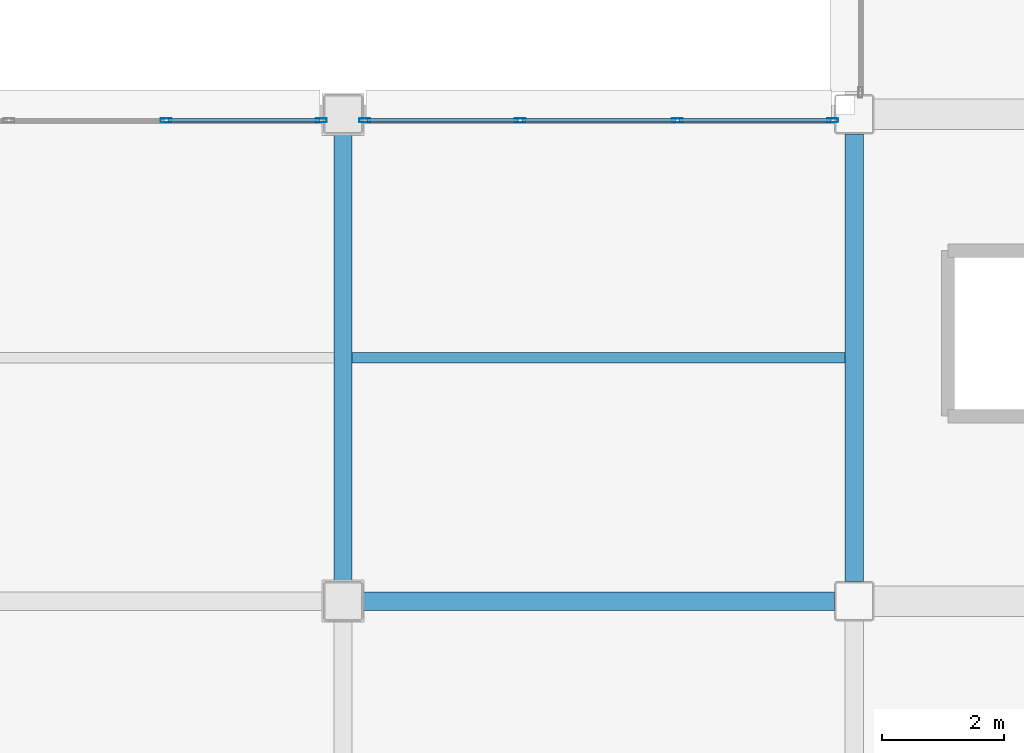
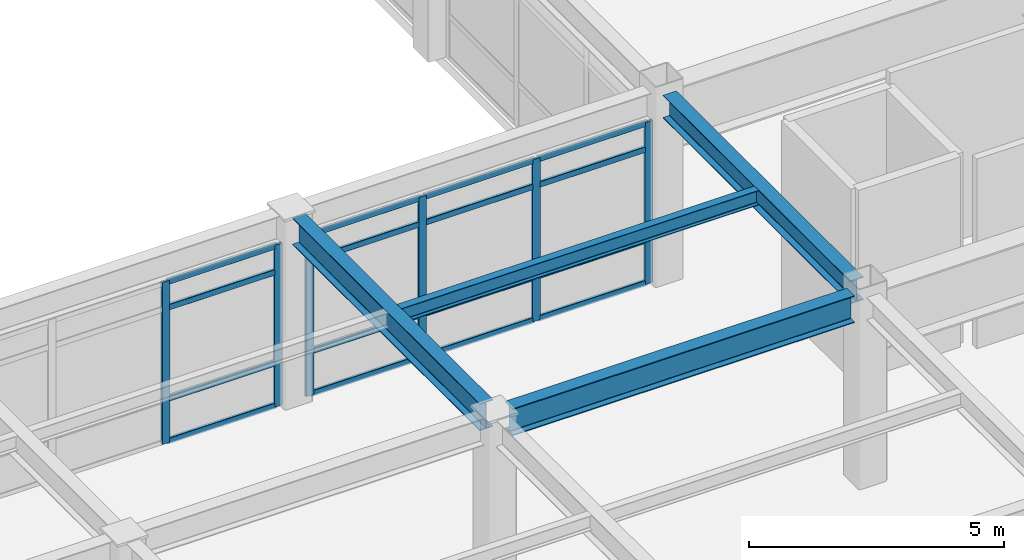
# One storey, part 51 of 93: 22 members, 4 beams, 2 elements without a shape of their own.
"""IFC4 building model written with IfcOpenShell, lengths in metres."""

from ifc_helpers import new_model, si_unit, direction, frame, origin, origin_2d, place, context, subcontext, project, spatial, hollow_rectangle, i_section, extrude, material, layer, layer_set, material_profile, profile_set, type_object, element, aggregate, save


model = new_model("IFC4")

# Units and contexts
model_context = context("Model", 3, precision=1e-05, world=origin(), true_north=direction((0.0, 1.0)))
body_context = subcontext(model_context, "Body", "Model", "MODEL_VIEW")
ifc_project = project(units=[si_unit("LENGTHUNIT", "METRE"), si_unit("AREAUNIT", "SQUARE_METRE"), si_unit("VOLUMEUNIT", "CUBIC_METRE"), si_unit("PLANEANGLEUNIT", "RADIAN"), si_unit("MASSUNIT", "GRAM", prefix="KILO")], contexts=[model_context])

# Site, building, storey
site_placement = place(None, origin())
site = spatial("IfcSite", under=ifc_project, at=site_placement, CompositionType="ELEMENT")
building_placement = place(site_placement, origin())
building = spatial("IfcBuilding", under=site, at=building_placement, Name="Kazehara Bluff Congress Hotel", CompositionType="ELEMENT")
storey_placement = place(building_placement, frame((0.0, 0.0, 15.0)))
storey = spatial("IfcBuildingStorey", under=building, at=storey_placement, Name="L03", CompositionType="ELEMENT", Elevation=15.0)

# Curtain wall, members
ifc_material_1 = material(Name="Anodised aluminium", Category="aluminium")
ifc_layer = layer(ifc_material_1, 0.159912109375)
ifc_layer_set = layer_set([ifc_layer], Name="Anodised aluminium")
curtain_wall_type = type_object("IfcCurtainWallType", Name="TP-CW-24", PredefinedType="NOTDEFINED", material=ifc_layer_set)
curtain_wall_1_placement = place(storey_placement, origin())
curtain_wall_1 = element("IfcCurtainWall", 1, at=curtain_wall_1_placement, inside=storey, type_object=curtain_wall_type, Name="L03 curtain wall CW-24 CW-ENC-V5-L03-13110-3190", PredefinedType="NOTDEFINED")
ifc_material_2 = material(Name="Anodised aluminium", Category="aluminium")
ifc_material_profile_1 = material_profile(ifc_material_2, hollow_rectangle(XDim=0.06494140625, YDim=0.179931640625, WallThickness=0.00390625, InnerFilletRadius=0.00390625, OuterFilletRadius=0.008056640625, at=origin_2d()))
ifc_profile_set_1 = profile_set([ifc_material_profile_1], Name="Anodised aluminium")
member_type_1 = type_object("IfcMemberType", Name="TP-CWM-02", PredefinedType="MULLION", material=ifc_profile_set_1)
member_1_placement = place(storey_placement, frame((132.3916015625, 31.89990234375, 0.0), z_axis=(0.0, 0.0, 1.0), x_axis=(0.0, 1.0, 0.0)))
member_1 = element("IfcMember", 2, at=member_1_placement, type_object=member_type_1, Name="CW-24 mullion 3", PredefinedType="MULLION", context=body_context, shape_type="SweptSolid", body=[
    extrude(hollow_rectangle(XDim=0.06494140625, YDim=0.179931640625, WallThickness=0.00390625, InnerFilletRadius=0.00390625, OuterFilletRadius=0.008056640625, at=origin_2d()), origin(), (0.0, 0.0, 1.0), 3.885009765625),
])
member_2_placement = place(storey_placement, frame((134.9423828125, 31.89990234375, 0.0), z_axis=(0.0, 0.0, 1.0), x_axis=(0.0, 1.0, 0.0)))
member_2 = element("IfcMember", 3, at=member_2_placement, type_object=member_type_1, Name="CW-24 mullion 4", PredefinedType="MULLION", context=body_context, shape_type="SweptSolid", body=[
    extrude(hollow_rectangle(XDim=0.06494140625, YDim=0.179931640625, WallThickness=0.00390625, InnerFilletRadius=0.00390625, OuterFilletRadius=0.008056640625, at=origin_2d()), origin(), (0.0, 0.0, 1.0), 3.885009765625),
])

curtain_wall_2_placement = place(storey_placement, origin())
curtain_wall_2 = element("IfcCurtainWall", 4, at=curtain_wall_2_placement, inside=storey, type_object=curtain_wall_type, Name="L03 curtain wall CW-24 CW-ENC-V5-L03-13950-3190", PredefinedType="NOTDEFINED")
member_3_placement = place(storey_placement, frame((135.657470703125, 31.89990234375, 0.0), z_axis=(0.0, 0.0, 1.0), x_axis=(0.0, 1.0, 0.0)))
member_3 = element("IfcMember", 5, at=member_3_placement, type_object=member_type_1, Name="CW-24 mullion 1", PredefinedType="MULLION", context=body_context, shape_type="SweptSolid", body=[
    extrude(hollow_rectangle(XDim=0.06494140625, YDim=0.179931640625, WallThickness=0.00390625, InnerFilletRadius=0.00390625, OuterFilletRadius=0.008056640625, at=origin_2d()), origin(), (0.0, 0.0, 1.0), 3.885009765625),
])
member_4_placement = place(storey_placement, frame((138.208251953125, 31.89990234375, 0.0), z_axis=(0.0, 0.0, 1.0), x_axis=(0.0, 1.0, 0.0)))
member_4 = element("IfcMember", 6, at=member_4_placement, type_object=member_type_1, Name="CW-24 mullion 2", PredefinedType="MULLION", context=body_context, shape_type="SweptSolid", body=[
    extrude(hollow_rectangle(XDim=0.06494140625, YDim=0.179931640625, WallThickness=0.00390625, InnerFilletRadius=0.00390625, OuterFilletRadius=0.008056640625, at=origin_2d()), origin(), (0.0, 0.0, 1.0), 3.885009765625),
])
member_5_placement = place(storey_placement, frame((140.791748046875, 31.89990234375, 0.0), z_axis=(0.0, 0.0, 1.0), x_axis=(0.0, 1.0, 0.0)))
member_5 = element("IfcMember", 7, at=member_5_placement, type_object=member_type_1, Name="CW-24 mullion 3", PredefinedType="MULLION", context=body_context, shape_type="SweptSolid", body=[
    extrude(hollow_rectangle(XDim=0.06494140625, YDim=0.179931640625, WallThickness=0.00390625, InnerFilletRadius=0.00390625, OuterFilletRadius=0.008056640625, at=origin_2d()), origin(), (0.0, 0.0, 1.0), 3.885009765625),
])
member_6_placement = place(storey_placement, frame((143.342529296875, 31.89990234375, 0.0), z_axis=(0.0, 0.0, 1.0), x_axis=(0.0, 1.0, 0.0)))
member_6 = element("IfcMember", 8, at=member_6_placement, type_object=member_type_1, Name="CW-24 mullion 4", PredefinedType="MULLION", context=body_context, shape_type="SweptSolid", body=[
    extrude(hollow_rectangle(XDim=0.06494140625, YDim=0.179931640625, WallThickness=0.00390625, InnerFilletRadius=0.00390625, OuterFilletRadius=0.008056640625, at=origin_2d()), origin(), (0.0, 0.0, 1.0), 3.885009765625),
])

# Member
ifc_material_3 = material(Name="Anodised aluminium", Category="aluminium")
ifc_material_profile_2 = material_profile(ifc_material_3, hollow_rectangle(XDim=0.06494140625, YDim=0.139892578125, WallThickness=0.00390625, InnerFilletRadius=0.00390625, OuterFilletRadius=0.008056640625, at=origin_2d()))
ifc_profile_set_2 = profile_set([ifc_material_profile_2], Name="Anodised aluminium")
member_type_2 = type_object("IfcMemberType", Name="TP-CWT-02", PredefinedType="USERDEFINED", material=ifc_profile_set_2)
member_7_placement = place(storey_placement, frame((132.424072265625, 31.89990234375, 0.032470703125), z_axis=(1.0, 0.0, 0.0), x_axis=(0.0, 1.0, 0.0)))
member_7 = element("IfcMember", 9, at=member_7_placement, type_object=member_type_2, Name="CW-24 transom 3.1", ObjectType="TRANSOM", PredefinedType="USERDEFINED", context=body_context, shape_type="SweptSolid", body=[
    extrude(hollow_rectangle(XDim=0.06494140625, YDim=0.139892578125, WallThickness=0.00390625, InnerFilletRadius=0.00390625, OuterFilletRadius=0.008056640625, at=origin_2d()), origin(), (0.0, 0.0, 1.0), 2.48583984375),
])

member_8_placement = place(storey_placement, frame((132.424072265625, 31.89990234375, 1.050048828125), z_axis=(1.0, 0.0, 0.0), x_axis=(0.0, 1.0, 0.0)))
member_8 = element("IfcMember", 10, at=member_8_placement, type_object=member_type_2, Name="CW-24 transom 3.2", ObjectType="TRANSOM", PredefinedType="USERDEFINED", context=body_context, shape_type="SweptSolid", body=[
    extrude(hollow_rectangle(XDim=0.06494140625, YDim=0.139892578125, WallThickness=0.00390625, InnerFilletRadius=0.00390625, OuterFilletRadius=0.008056640625, at=origin_2d()), origin(), (0.0, 0.0, 1.0), 2.48583984375),
])

member_9_placement = place(storey_placement, frame((132.424072265625, 31.89990234375, 3.235107421875), z_axis=(1.0, 0.0, 0.0), x_axis=(0.0, 1.0, 0.0)))
member_9 = element("IfcMember", 11, at=member_9_placement, type_object=member_type_2, Name="CW-24 transom 3.3", ObjectType="TRANSOM", PredefinedType="USERDEFINED", context=body_context, shape_type="SweptSolid", body=[
    extrude(hollow_rectangle(XDim=0.06494140625, YDim=0.139892578125, WallThickness=0.00390625, InnerFilletRadius=0.00390625, OuterFilletRadius=0.008056640625, at=origin_2d()), origin(), (0.0, 0.0, 1.0), 2.48583984375),
])

member_10_placement = place(storey_placement, frame((132.424072265625, 31.89990234375, 3.8525390625), z_axis=(1.0, 0.0, 0.0), x_axis=(0.0, 1.0, 0.0)))
member_10 = element("IfcMember", 12, at=member_10_placement, type_object=member_type_2, Name="CW-24 transom 3.4", ObjectType="TRANSOM", PredefinedType="USERDEFINED", context=body_context, shape_type="SweptSolid", body=[
    extrude(hollow_rectangle(XDim=0.06494140625, YDim=0.139892578125, WallThickness=0.00390625, InnerFilletRadius=0.00390625, OuterFilletRadius=0.008056640625, at=origin_2d()), origin(), (0.0, 0.0, 1.0), 2.48583984375),
])

aggregate(curtain_wall_1, [member_1, member_2, member_7, member_8, member_9, member_10])

member_11_placement = place(storey_placement, frame((135.68994140625, 31.89990234375, 0.032470703125), z_axis=(1.0, 0.0, 0.0), x_axis=(0.0, 1.0, 0.0)))
member_11 = element("IfcMember", 13, at=member_11_placement, type_object=member_type_2, Name="CW-24 transom 1.1", ObjectType="TRANSOM", PredefinedType="USERDEFINED", context=body_context, shape_type="SweptSolid", body=[
    extrude(hollow_rectangle(XDim=0.06494140625, YDim=0.139892578125, WallThickness=0.00390625, InnerFilletRadius=0.00390625, OuterFilletRadius=0.008056640625, at=origin_2d()), origin(), (0.0, 0.0, 1.0), 2.48583984375),
])

member_12_placement = place(storey_placement, frame((135.68994140625, 31.89990234375, 1.050048828125), z_axis=(1.0, 0.0, 0.0), x_axis=(0.0, 1.0, 0.0)))
member_12 = element("IfcMember", 14, at=member_12_placement, type_object=member_type_2, Name="CW-24 transom 1.2", ObjectType="TRANSOM", PredefinedType="USERDEFINED", context=body_context, shape_type="SweptSolid", body=[
    extrude(hollow_rectangle(XDim=0.06494140625, YDim=0.139892578125, WallThickness=0.00390625, InnerFilletRadius=0.00390625, OuterFilletRadius=0.008056640625, at=origin_2d()), origin(), (0.0, 0.0, 1.0), 2.48583984375),
])

member_13_placement = place(storey_placement, frame((135.68994140625, 31.89990234375, 3.235107421875), z_axis=(1.0, 0.0, 0.0), x_axis=(0.0, 1.0, 0.0)))
member_13 = element("IfcMember", 15, at=member_13_placement, type_object=member_type_2, Name="CW-24 transom 1.3", ObjectType="TRANSOM", PredefinedType="USERDEFINED", context=body_context, shape_type="SweptSolid", body=[
    extrude(hollow_rectangle(XDim=0.06494140625, YDim=0.139892578125, WallThickness=0.00390625, InnerFilletRadius=0.00390625, OuterFilletRadius=0.008056640625, at=origin_2d()), origin(), (0.0, 0.0, 1.0), 2.48583984375),
])

member_14_placement = place(storey_placement, frame((135.68994140625, 31.89990234375, 3.8525390625), z_axis=(1.0, 0.0, 0.0), x_axis=(0.0, 1.0, 0.0)))
member_14 = element("IfcMember", 16, at=member_14_placement, type_object=member_type_2, Name="CW-24 transom 1.4", ObjectType="TRANSOM", PredefinedType="USERDEFINED", context=body_context, shape_type="SweptSolid", body=[
    extrude(hollow_rectangle(XDim=0.06494140625, YDim=0.139892578125, WallThickness=0.00390625, InnerFilletRadius=0.00390625, OuterFilletRadius=0.008056640625, at=origin_2d()), origin(), (0.0, 0.0, 1.0), 2.48583984375),
])

member_15_placement = place(storey_placement, frame((138.24072265625, 31.89990234375, 0.032470703125), z_axis=(1.0, 0.0, 0.0), x_axis=(0.0, 1.0, 0.0)))
member_15 = element("IfcMember", 17, at=member_15_placement, type_object=member_type_2, Name="CW-24 transom 2.1", ObjectType="TRANSOM", PredefinedType="USERDEFINED", context=body_context, shape_type="SweptSolid", body=[
    extrude(hollow_rectangle(XDim=0.06494140625, YDim=0.139892578125, WallThickness=0.00390625, InnerFilletRadius=0.00390625, OuterFilletRadius=0.008056640625, at=origin_2d()), origin(), (0.0, 0.0, 1.0), 2.5185546875),
])

member_16_placement = place(storey_placement, frame((138.24072265625, 31.89990234375, 1.050048828125), z_axis=(1.0, 0.0, 0.0), x_axis=(0.0, 1.0, 0.0)))
member_16 = element("IfcMember", 18, at=member_16_placement, type_object=member_type_2, Name="CW-24 transom 2.2", ObjectType="TRANSOM", PredefinedType="USERDEFINED", context=body_context, shape_type="SweptSolid", body=[
    extrude(hollow_rectangle(XDim=0.06494140625, YDim=0.139892578125, WallThickness=0.00390625, InnerFilletRadius=0.00390625, OuterFilletRadius=0.008056640625, at=origin_2d()), origin(), (0.0, 0.0, 1.0), 2.5185546875),
])

member_17_placement = place(storey_placement, frame((138.24072265625, 31.89990234375, 3.235107421875), z_axis=(1.0, 0.0, 0.0), x_axis=(0.0, 1.0, 0.0)))
member_17 = element("IfcMember", 19, at=member_17_placement, type_object=member_type_2, Name="CW-24 transom 2.3", ObjectType="TRANSOM", PredefinedType="USERDEFINED", context=body_context, shape_type="SweptSolid", body=[
    extrude(hollow_rectangle(XDim=0.06494140625, YDim=0.139892578125, WallThickness=0.00390625, InnerFilletRadius=0.00390625, OuterFilletRadius=0.008056640625, at=origin_2d()), origin(), (0.0, 0.0, 1.0), 2.5185546875),
])

member_18_placement = place(storey_placement, frame((138.24072265625, 31.89990234375, 3.8525390625), z_axis=(1.0, 0.0, 0.0), x_axis=(0.0, 1.0, 0.0)))
member_18 = element("IfcMember", 20, at=member_18_placement, type_object=member_type_2, Name="CW-24 transom 2.4", ObjectType="TRANSOM", PredefinedType="USERDEFINED", context=body_context, shape_type="SweptSolid", body=[
    extrude(hollow_rectangle(XDim=0.06494140625, YDim=0.139892578125, WallThickness=0.00390625, InnerFilletRadius=0.00390625, OuterFilletRadius=0.008056640625, at=origin_2d()), origin(), (0.0, 0.0, 1.0), 2.5185546875),
])

member_19_placement = place(storey_placement, frame((140.82421875, 31.89990234375, 0.032470703125), z_axis=(1.0, 0.0, 0.0), x_axis=(0.0, 1.0, 0.0)))
member_19 = element("IfcMember", 21, at=member_19_placement, type_object=member_type_2, Name="CW-24 transom 3.1", ObjectType="TRANSOM", PredefinedType="USERDEFINED", context=body_context, shape_type="SweptSolid", body=[
    extrude(hollow_rectangle(XDim=0.06494140625, YDim=0.139892578125, WallThickness=0.00390625, InnerFilletRadius=0.00390625, OuterFilletRadius=0.008056640625, at=origin_2d()), origin(), (0.0, 0.0, 1.0), 2.48583984375),
])

member_20_placement = place(storey_placement, frame((140.82421875, 31.89990234375, 1.050048828125), z_axis=(1.0, 0.0, 0.0), x_axis=(0.0, 1.0, 0.0)))
member_20 = element("IfcMember", 22, at=member_20_placement, type_object=member_type_2, Name="CW-24 transom 3.2", ObjectType="TRANSOM", PredefinedType="USERDEFINED", context=body_context, shape_type="SweptSolid", body=[
    extrude(hollow_rectangle(XDim=0.06494140625, YDim=0.139892578125, WallThickness=0.00390625, InnerFilletRadius=0.00390625, OuterFilletRadius=0.008056640625, at=origin_2d()), origin(), (0.0, 0.0, 1.0), 2.48583984375),
])

member_21_placement = place(storey_placement, frame((140.82421875, 31.89990234375, 3.235107421875), z_axis=(1.0, 0.0, 0.0), x_axis=(0.0, 1.0, 0.0)))
member_21 = element("IfcMember", 23, at=member_21_placement, type_object=member_type_2, Name="CW-24 transom 3.3", ObjectType="TRANSOM", PredefinedType="USERDEFINED", context=body_context, shape_type="SweptSolid", body=[
    extrude(hollow_rectangle(XDim=0.06494140625, YDim=0.139892578125, WallThickness=0.00390625, InnerFilletRadius=0.00390625, OuterFilletRadius=0.008056640625, at=origin_2d()), origin(), (0.0, 0.0, 1.0), 2.48583984375),
])

member_22_placement = place(storey_placement, frame((140.82421875, 31.89990234375, 3.8525390625), z_axis=(1.0, 0.0, 0.0), x_axis=(0.0, 1.0, 0.0)))
member_22 = element("IfcMember", 24, at=member_22_placement, type_object=member_type_2, Name="CW-24 transom 3.4", ObjectType="TRANSOM", PredefinedType="USERDEFINED", context=body_context, shape_type="SweptSolid", body=[
    extrude(hollow_rectangle(XDim=0.06494140625, YDim=0.139892578125, WallThickness=0.00390625, InnerFilletRadius=0.00390625, OuterFilletRadius=0.008056640625, at=origin_2d()), origin(), (0.0, 0.0, 1.0), 2.48583984375),
])

aggregate(curtain_wall_2, [member_3, member_4, member_5, member_6, member_11, member_12, member_13, member_14, member_15, member_16, member_17, member_18, member_19, member_20, member_21, member_22])

# Beams
ifc_material_4 = material(Name="Steel SN490B", Category="steel")
ifc_material_profile_3 = material_profile(ifc_material_4, i_section(OverallWidth=0.300048828125, OverallDepth=0.64990234375, WebThickness=0.011962890625, FlangeThickness=0.02001953125, FilletRadius=0.012939453125, at=origin_2d()))
ifc_profile_set_3 = profile_set([ifc_material_profile_3], Name="Steel SN490B")
beam_type_1 = type_object("IfcBeamType", Name="TP-G-03", PredefinedType="BEAM", material=ifc_profile_set_3)
beam_1_placement = place(storey_placement, frame((135.300048828125, 24.324951171875, 4.235107421875), z_axis=(0.0, 1.0, 0.0), x_axis=(-1.0, 0.0, 0.0)))
element("IfcBeam", 25, at=beam_1_placement, inside=storey, type_object=beam_type_1, Name="L03 girder G-03 108", PredefinedType="BEAM", context=body_context, shape_type="SweptSolid", body=[
    extrude(i_section(OverallWidth=0.300048828125, OverallDepth=0.64990234375, WebThickness=0.011962890625, FlangeThickness=0.02001953125, FilletRadius=0.012939453125, at=origin_2d()), origin(), (0.0, 0.0, 1.0), 7.35009765625),
])
beam_2_placement = place(storey_placement, frame((135.625, 24.0, 4.235107421875), z_axis=(1.0, 0.0, 0.0), x_axis=(0.0, 1.0, 0.0)))
element("IfcBeam", 26, at=beam_2_placement, inside=storey, type_object=beam_type_1, Name="L03 girder G-03 167", PredefinedType="BEAM", context=body_context, shape_type="SweptSolid", body=[
    extrude(i_section(OverallWidth=0.300048828125, OverallDepth=0.64990234375, WebThickness=0.011962890625, FlangeThickness=0.02001953125, FilletRadius=0.012939453125, at=origin_2d()), origin(), (0.0, 0.0, 1.0), 7.75),
])
ifc_material_5 = material(Name="Steel SN400B", Category="steel")
ifc_material_profile_4 = material_profile(ifc_material_5, i_section(OverallWidth=0.175048828125, OverallDepth=0.35009765625, WebThickness=0.007080078125, FlangeThickness=0.010986328125, FilletRadius=0.012939453125, at=origin_2d()))
ifc_profile_set_4 = profile_set([ifc_material_profile_4], Name="Steel SN400B")
beam_type_2 = type_object("IfcBeamType", Name="TP-J-02", PredefinedType="JOIST", material=ifc_profile_set_4)
beam_3_placement = place(storey_placement, frame((135.449951171875, 28.0, 4.385009765625), z_axis=(1.0, 0.0, 0.0), x_axis=(0.0, 1.0, 0.0)))
element("IfcBeam", 27, at=beam_3_placement, inside=storey, type_object=beam_type_2, Name="L03 secondary joist J-02 29", PredefinedType="JOIST", context=body_context, shape_type="SweptSolid", body=[
    extrude(i_section(OverallWidth=0.175048828125, OverallDepth=0.35009765625, WebThickness=0.007080078125, FlangeThickness=0.010986328125, FilletRadius=0.012939453125, at=origin_2d()), origin(), (0.0, 0.0, 1.0), 8.10009765625),
])
ifc_material_6 = material(Name="Steel SN490B", Category="steel")
ifc_material_profile_5 = material_profile(ifc_material_6, i_section(OverallWidth=0.300048828125, OverallDepth=0.550048828125, WebThickness=0.010986328125, FlangeThickness=0.01806640625, FilletRadius=0.012939453125, at=origin_2d()))
ifc_profile_set_5 = profile_set([ifc_material_profile_5], Name="Steel SN490B")
beam_type_3 = type_object("IfcBeamType", Name="TP-SP-01", PredefinedType="SPANDREL", material=ifc_profile_set_5)
beam_4_placement = place(storey_placement, frame((143.699951171875, 24.324951171875, 4.284912109375), z_axis=(0.0, 1.0, 0.0), x_axis=(-1.0, 0.0, 0.0)))
element("IfcBeam", 28, at=beam_4_placement, inside=storey, type_object=beam_type_3, Name="L03 girder SP-01 112", PredefinedType="SPANDREL", context=body_context, shape_type="SweptSolid", body=[
    extrude(i_section(OverallWidth=0.300048828125, OverallDepth=0.550048828125, WebThickness=0.010986328125, FlangeThickness=0.01806640625, FilletRadius=0.012939453125, at=origin_2d()), origin(), (0.0, 0.0, 1.0), 7.35009765625),
])

save(model, "model.ifc")
